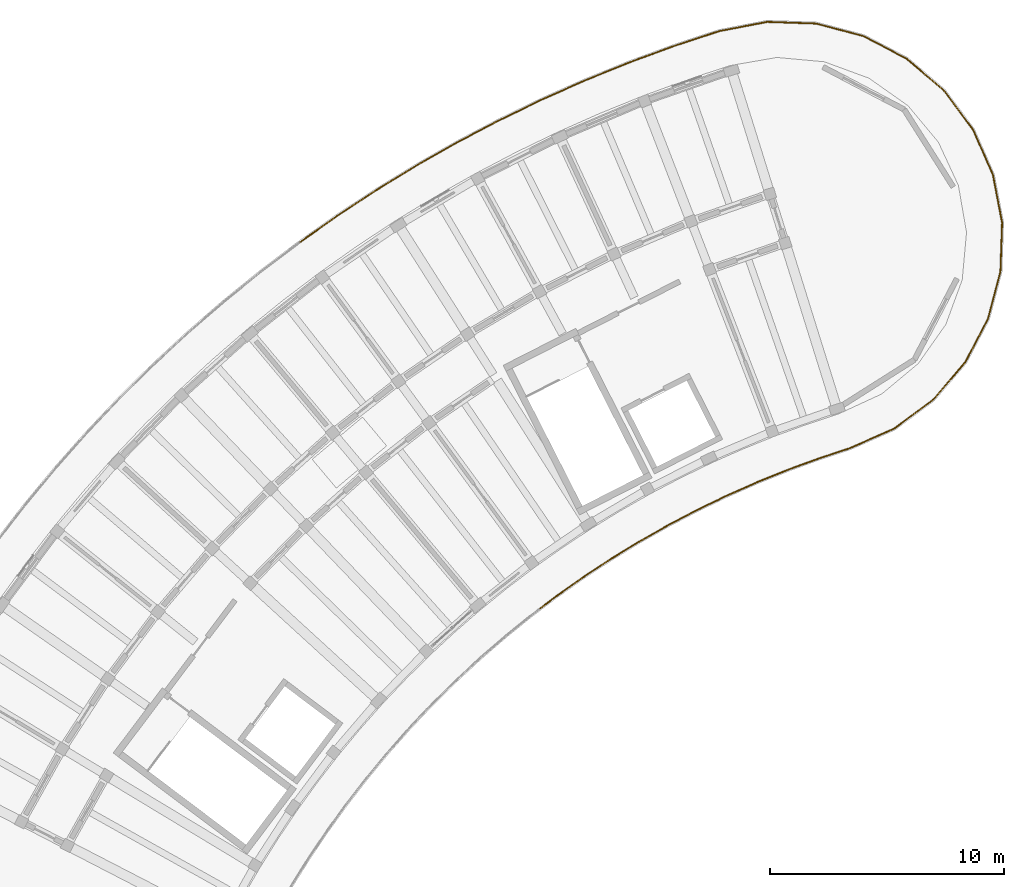
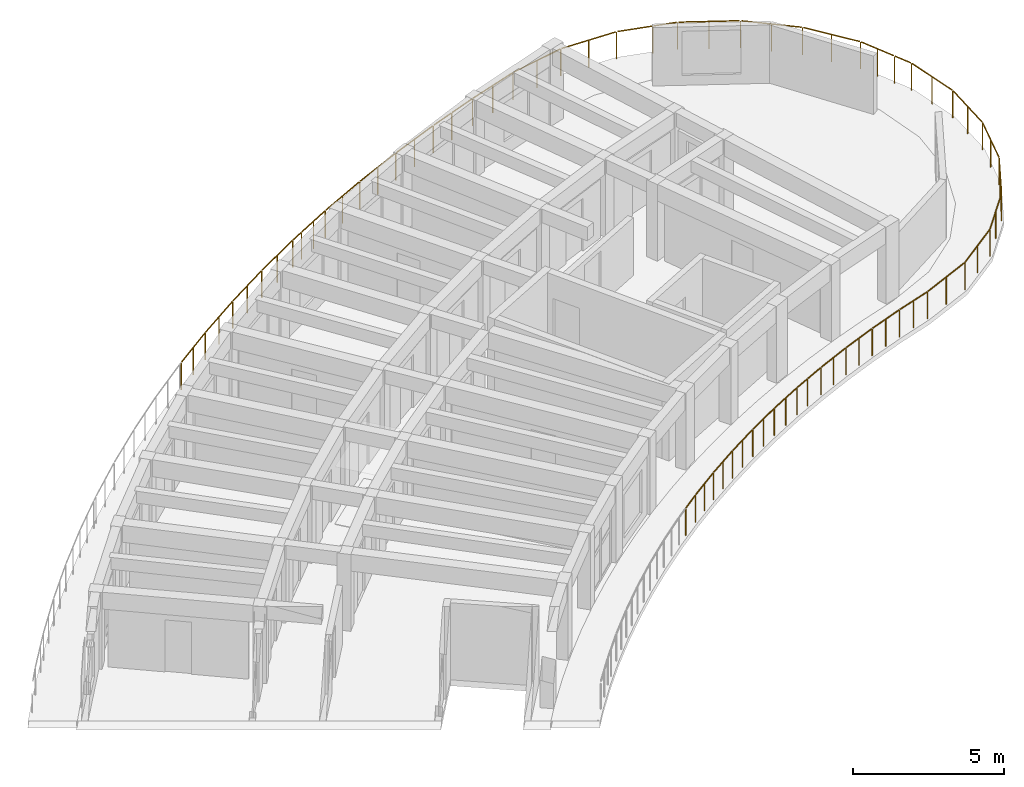
# One storey, part 9 of 9: 8 railings.
"""IFC4 building model written with IfcOpenShell, lengths in metres."""

from ifc_helpers import new_model, si_unit, direction, frame, origin, origin_2d, place, context, subcontext, project, spatial, circle, extrude, material, type_object, element, save


model = new_model("IFC4")

# Units and contexts
model_context = context("Model", 3, precision=1e-05, world=origin(), true_north=direction((0.0, 1.0)))
body_context = subcontext(model_context, "Body", "Model", "MODEL_VIEW")
ifc_project = project(units=[si_unit("LENGTHUNIT", "METRE"), si_unit("AREAUNIT", "SQUARE_METRE"), si_unit("VOLUMEUNIT", "CUBIC_METRE"), si_unit("PLANEANGLEUNIT", "RADIAN"), si_unit("MASSUNIT", "GRAM", prefix="KILO")], contexts=[model_context])

# Site, building, storey
site_placement = place(None, origin())
site = spatial("IfcSite", under=ifc_project, at=site_placement, CompositionType="ELEMENT")
building_placement = place(site_placement, origin())
building = spatial("IfcBuilding", under=site, at=building_placement, Name="Tanwirah Colonnade Gardens", CompositionType="ELEMENT")
storey_placement = place(building_placement, frame((0.0, 0.0, 49.159912109375)))
storey = spatial("IfcBuildingStorey", under=building, at=storey_placement, Name="L14", CompositionType="ELEMENT", Elevation=49.159912109375)

# Railings
ifc_material = material(Name="Precast concrete C40/50", Category="concrete")
railing_type = type_object("IfcRailingType", Name="BAL-EXT112", PredefinedType="BALUSTRADE", material=ifc_material)
railing_1_placement = place(storey_placement, frame((54.194091796875, 101.783203125, 0.0)))
element("IfcRailing", 1, at=railing_1_placement, inside=storey, type_object=railing_type, Name="Block A L14 Balcony Ribbon Balustrade 1", PredefinedType="BALUSTRADE", context=body_context, shape_type="SweptSolid", body=[
    extrude(circle(Radius=0.02392578125, at=origin_2d()), frame((-0.028564453125, -0.0126953125, 1.09619140625), z_axis=(-0.915206584925, -0.402984995887, 0.0), x_axis=(0.402984995887, -0.915206584925, 0.0)), (0.0, 0.0, 1.0), 2.029296875),
    extrude(circle(Radius=0.02392578125, at=origin_2d()), frame((-1.9443359375, -0.852783203125, 1.09619140625), z_axis=(-0.949551322101, -0.313611681377, 0.0), x_axis=(0.313611681377, -0.949551322101, 0.0)), (0.0, 0.0, 1.0), 1.337890625),
    extrude(circle(Radius=0.02392578125, at=origin_2d()), frame((-3.2763671875, -1.2939453125, 1.09619140625), z_axis=(-0.93868698515, -0.344770567059, 0.0), x_axis=(0.344770567059, -0.93868698515, 0.0)), (0.0, 0.0, 1.0), 1.341796875),
    extrude(circle(Radius=0.02392578125, at=origin_2d()), frame((-4.5966796875, -1.780029296875, 1.09619140625), z_axis=(-0.92683738147, -0.375463005247, 0.0), x_axis=(0.375463005247, -0.92683738147, 0.0)), (0.0, 0.0, 1.0), 1.342041015625),
    extrude(circle(Radius=0.02392578125, at=origin_2d()), frame((-5.900146484375, -2.309326171875, 1.09619140625), z_axis=(-0.913997826773, -0.40571908096, 0.0), x_axis=(0.40571908096, -0.913997826773, 0.0)), (0.0, 0.0, 1.0), 1.342041015625),
    extrude(circle(Radius=0.02392578125, at=origin_2d()), frame((-7.185546875, -2.88134765625, 1.09619140625), z_axis=(-0.900084396096, -0.435715595204, 0.0), x_axis=(0.435715595204, -0.900084396096, 0.0)), (0.0, 0.0, 1.0), 0.721435546875),
    extrude(circle(Radius=0.02099609375, at=origin_2d()), origin(), (0.0, 0.0, 1.0), 1.069091796875),
    extrude(circle(Radius=0.02099609375, at=origin_2d()), frame((-0.957275390625, -0.42138671875, 0.0)), (0.0, 0.0, 1.0), 1.069091796875),
    extrude(circle(Radius=0.02099609375, at=origin_2d()), frame((-1.91455078125, -0.843017578125, 0.0)), (0.0, 0.0, 1.0), 1.069091796875),
    extrude(circle(Radius=0.02099609375, at=origin_2d()), frame((-2.57958984375, -1.0625, 0.0)), (0.0, 0.0, 1.0), 1.069091796875),
    extrude(circle(Radius=0.02099609375, at=origin_2d()), frame((-3.244384765625, -1.2822265625, 0.0)), (0.0, 0.0, 1.0), 1.069091796875),
    extrude(circle(Radius=0.02099609375, at=origin_2d()), frame((-3.90625, -1.525390625, 0.0)), (0.0, 0.0, 1.0), 1.069091796875),
    extrude(circle(Radius=0.02099609375, at=origin_2d()), frame((-4.565185546875, -1.767333984375, 0.0)), (0.0, 0.0, 1.0), 1.069091796875),
    extrude(circle(Radius=0.02099609375, at=origin_2d()), frame((-5.218505859375, -2.031982421875, 0.0)), (0.0, 0.0, 1.0), 1.069091796875),
    extrude(circle(Radius=0.02099609375, at=origin_2d()), frame((-5.869384765625, -2.295654296875, 0.0)), (0.0, 0.0, 1.0), 1.069091796875),
    extrude(circle(Radius=0.02099609375, at=origin_2d()), frame((-6.513427734375, -2.58154296875, 0.0)), (0.0, 0.0, 1.0), 1.069091796875),
    extrude(circle(Radius=0.02099609375, at=origin_2d()), frame((-7.1552734375, -2.866455078125, 0.0)), (0.0, 0.0, 1.0), 1.069091796875),
    extrude(circle(Radius=0.02099609375, at=origin_2d()), frame((-7.863037109375, -3.209228515625, 0.0)), (0.0, 0.0, 1.0), 1.069091796875),
])
railing_2_placement = place(storey_placement, frame((46.3310546875, 98.573974609375, 0.0)))
element("IfcRailing", 2, at=railing_2_placement, inside=storey, type_object=railing_type, Name="Block A L14 Balcony Ribbon Balustrade 2", PredefinedType="BALUSTRADE", context=body_context, shape_type="SweptSolid", body=[
    extrude(circle(Radius=0.02392578125, at=origin_2d()), frame((-0.028076171875, -0.013671875, 1.09619140625), z_axis=(-0.900174178774, -0.435530076881, 0.0), x_axis=(0.435530076881, -0.900174178774, 0.0)), (0.0, 0.0, 1.0), 0.55810546875),
    extrude(circle(Radius=0.02392578125, at=origin_2d()), frame((-0.58837890625, -0.2861328125, 1.09619140625), z_axis=(-0.885204649416, -0.465201814972, 0.0), x_axis=(0.465201814972, -0.885204649416, 0.0)), (0.0, 0.0, 1.0), 1.341796875),
    extrude(circle(Radius=0.02392578125, at=origin_2d()), frame((-1.83349609375, -0.94140625, 1.09619140625), z_axis=(-0.869342839865, -0.494209496848, 0.0), x_axis=(0.494209496848, -0.869342839865, 0.0)), (0.0, 0.0, 1.0), 1.342041015625),
    extrude(circle(Radius=0.02392578125, at=origin_2d()), frame((-3.05615234375, -1.6376953125, 1.09619140625), z_axis=(-0.852623736113, -0.522525372223, 0.0), x_axis=(0.522525372223, -0.852623736113, 0.0)), (0.0, 0.0, 1.0), 1.342041015625),
    extrude(circle(Radius=0.02392578125, at=origin_2d()), frame((-4.25537109375, -2.37353515625, 1.09619140625), z_axis=(-0.834927342507, -0.550360184547, 0.0), x_axis=(0.550360184547, -0.834927342507, 0.0)), (0.0, 0.0, 1.0), 1.341796875),
    extrude(circle(Radius=0.02392578125, at=origin_2d()), frame((-5.4296875, -3.14892578125, 1.09619140625), z_axis=(-0.816321661452, -0.577597563226, 0.0), x_axis=(0.577597563226, -0.816321661452, 0.0)), (0.0, 0.0, 1.0), 1.341552734375),
    extrude(circle(Radius=0.02392578125, at=origin_2d()), frame((-6.577392578125, -3.962158203125, 1.09619140625), z_axis=(-0.796787546673, -0.604259551407, 0.0), x_axis=(0.604259551407, -0.796787546673, 0.0)), (0.0, 0.0, 1.0), 0.779541015625),
    extrude(circle(Radius=0.02099609375, at=origin_2d()), origin(), (0.0, 0.0, 1.0), 1.069091796875),
    extrude(circle(Radius=0.02099609375, at=origin_2d()), frame((-0.55859375, -0.270263671875, 0.0)), (0.0, 0.0, 1.0), 1.069091796875),
    extrude(circle(Radius=0.02099609375, at=origin_2d()), frame((-1.182373046875, -0.59814453125, 0.0)), (0.0, 0.0, 1.0), 1.069091796875),
    extrude(circle(Radius=0.02099609375, at=origin_2d()), frame((-1.803955078125, -0.9248046875, 0.0)), (0.0, 0.0, 1.0), 1.069091796875),
    extrude(circle(Radius=0.02099609375, at=origin_2d()), frame((-2.4169921875, -1.27294921875, 0.0)), (0.0, 0.0, 1.0), 1.069091796875),
    extrude(circle(Radius=0.02099609375, at=origin_2d()), frame((-3.02734375, -1.6201171875, 0.0)), (0.0, 0.0, 1.0), 1.069091796875),
    extrude(circle(Radius=0.02099609375, at=origin_2d()), frame((-3.62841796875, -1.98828125, 0.0)), (0.0, 0.0, 1.0), 1.069091796875),
    extrude(circle(Radius=0.02099609375, at=origin_2d()), frame((-4.22705078125, -2.355224609375, 0.0)), (0.0, 0.0, 1.0), 1.069091796875),
    extrude(circle(Radius=0.02099609375, at=origin_2d()), frame((-4.8154296875, -2.742919921875, 0.0)), (0.0, 0.0, 1.0), 1.069091796875),
    extrude(circle(Radius=0.02099609375, at=origin_2d()), frame((-5.40185546875, -3.12939453125, 0.0)), (0.0, 0.0, 1.0), 1.069091796875),
    extrude(circle(Radius=0.02099609375, at=origin_2d()), frame((-5.97705078125, -3.536376953125, 0.0)), (0.0, 0.0, 1.0), 1.069091796875),
    extrude(circle(Radius=0.02099609375, at=origin_2d()), frame((-6.55029296875, -3.94189453125, 0.0)), (0.0, 0.0, 1.0), 1.069091796875),
    extrude(circle(Radius=0.02099609375, at=origin_2d()), frame((-7.223388671875, -4.4521484375, 0.0)), (0.0, 0.0, 1.0), 1.069091796875),
])
railing_3_placement = place(storey_placement, frame((28.86962890625, 109.742919921875, 0.0)))
element("IfcRailing", 3, at=railing_3_placement, inside=storey, type_object=railing_type, Name="Block A L14 Balcony Ribbon Balustrade 12", PredefinedType="BALUSTRADE", context=body_context, shape_type="SweptSolid", body=[
    extrude(circle(Radius=0.02392578125, at=origin_2d()), frame((0.025634765625, 0.01806640625, 1.09619140625), z_axis=(0.816374113656, 0.577523425111, 0.0), x_axis=(-0.577523425111, 0.816374113656, 0.0)), (0.0, 0.0, 1.0), 1.83056640625),
    extrude(circle(Radius=0.02392578125, at=origin_2d()), frame((1.571533203125, 1.1103515625, 1.09619140625), z_axis=(0.834955682369, 0.550317188973, 0.0), x_axis=(-0.550317188973, 0.834955682369, 0.0)), (0.0, 0.0, 1.0), 1.959228515625),
    extrude(circle(Radius=0.02392578125, at=origin_2d()), frame((3.260009765625, 2.22216796875, 1.09619140625), z_axis=(0.852660263329, 0.522465764754, 0.0), x_axis=(-0.522465764754, 0.852660263329, 0.0)), (0.0, 0.0, 1.0), 1.958984375),
    extrude(circle(Radius=0.02392578125, at=origin_2d()), frame((4.984130859375, 3.27734375, 1.09619140625), z_axis=(0.869392881113, 0.494121461049, 0.0), x_axis=(-0.494121461049, 0.869392881113, 0.0)), (0.0, 0.0, 1.0), 1.958740234375),
    extrude(circle(Radius=0.02392578125, at=origin_2d()), frame((6.741943359375, 4.275390625, 1.09619140625), z_axis=(0.885152384382, 0.465301253407, 0.0), x_axis=(-0.465301253407, 0.885152384382, 0.0)), (0.0, 0.0, 1.0), 0.47998046875),
    extrude(circle(Radius=0.02099609375, at=origin_2d()), origin(), (0.0, 0.0, 1.0), 1.069091796875),
    extrude(circle(Radius=0.02099609375, at=origin_2d()), frame((0.772705078125, 0.546630859375, 0.0)), (0.0, 0.0, 1.0), 1.069091796875),
    extrude(circle(Radius=0.02099609375, at=origin_2d()), frame((1.54541015625, 1.09326171875, 0.0)), (0.0, 0.0, 1.0), 1.069091796875),
    extrude(circle(Radius=0.02099609375, at=origin_2d()), frame((2.389404296875, 1.6494140625, 0.0)), (0.0, 0.0, 1.0), 1.069091796875),
    extrude(circle(Radius=0.02099609375, at=origin_2d()), frame((3.2333984375, 2.205810546875, 0.0)), (0.0, 0.0, 1.0), 1.069091796875),
    extrude(circle(Radius=0.02099609375, at=origin_2d()), frame((4.09521484375, 2.73388671875, 0.0)), (0.0, 0.0, 1.0), 1.069091796875),
    extrude(circle(Radius=0.02099609375, at=origin_2d()), frame((4.95703125, 3.261962890625, 0.0)), (0.0, 0.0, 1.0), 1.069091796875),
    extrude(circle(Radius=0.02099609375, at=origin_2d()), frame((5.835693359375, 3.76123046875, 0.0)), (0.0, 0.0, 1.0), 1.069091796875),
    extrude(circle(Radius=0.02099609375, at=origin_2d()), frame((6.71435546875, 4.2607421875, 0.0)), (0.0, 0.0, 1.0), 1.069091796875),
    extrude(circle(Radius=0.02099609375, at=origin_2d()), frame((7.194580078125, 4.51318359375, 0.0)), (0.0, 0.0, 1.0), 1.069091796875),
])
railing_4_placement = place(storey_placement, frame((36.064208984375, 114.256103515625, 0.0)))
element("IfcRailing", 4, at=railing_4_placement, inside=storey, type_object=railing_type, Name="Block A L14 Balcony Ribbon Balustrade 13", PredefinedType="BALUSTRADE", context=body_context, shape_type="SweptSolid", body=[
    extrude(circle(Radius=0.02392578125, at=origin_2d()), frame((0.027587890625, 0.0146484375, 1.09619140625), z_axis=(0.885233107684, 0.465147659417, 0.0), x_axis=(-0.465147659417, 0.885233107684, 0.0)), (0.0, 0.0, 1.0), 1.41650390625),
    extrude(circle(Radius=0.02392578125, at=origin_2d()), frame((1.33740234375, 0.70166015625, 1.09619140625), z_axis=(0.900055350621, 0.435775591122, 0.0), x_axis=(-0.435775591122, 0.900055350621, 0.0)), (0.0, 0.0, 1.0), 1.958740234375),
    extrude(circle(Radius=0.02392578125, at=origin_2d()), frame((3.1572265625, 1.58154296875, 1.09619140625), z_axis=(0.913950953394, 0.405824660156, 0.0), x_axis=(-0.405824660156, 0.913950953394, 0.0)), (0.0, 0.0, 1.0), 1.958740234375),
    extrude(circle(Radius=0.02392578125, at=origin_2d()), frame((5.005126953125, 2.40087890625, 1.09619140625), z_axis=(0.926784720453, 0.375592973757, 0.0), x_axis=(-0.375592973757, 0.926784720453, 0.0)), (0.0, 0.0, 1.0), 1.958984375),
    extrude(circle(Radius=0.02392578125, at=origin_2d()), frame((6.87890625, 3.1591796875, 1.09619140625), z_axis=(0.938760769045, 0.344569613434, 0.0), x_axis=(-0.344569613434, 0.938760769045, 0.0)), (0.0, 0.0, 1.0), 0.89404296875),
    extrude(circle(Radius=0.02099609375, at=origin_2d()), origin(), (0.0, 0.0, 1.0), 1.069091796875),
    extrude(circle(Radius=0.02099609375, at=origin_2d()), frame((0.65478515625, 0.343994140625, 0.0)), (0.0, 0.0, 1.0), 1.069091796875),
    extrude(circle(Radius=0.02099609375, at=origin_2d()), frame((1.309326171875, 0.68798828125, 0.0)), (0.0, 0.0, 1.0), 1.069091796875),
    extrude(circle(Radius=0.02099609375, at=origin_2d()), frame((2.218994140625, 1.12841796875, 0.0)), (0.0, 0.0, 1.0), 1.069091796875),
    extrude(circle(Radius=0.02099609375, at=origin_2d()), frame((3.128662109375, 1.56884765625, 0.0)), (0.0, 0.0, 1.0), 1.069091796875),
    extrude(circle(Radius=0.02099609375, at=origin_2d()), frame((4.05224609375, 1.97900390625, 0.0)), (0.0, 0.0, 1.0), 1.069091796875),
    extrude(circle(Radius=0.02099609375, at=origin_2d()), frame((4.97607421875, 2.38916015625, 0.0)), (0.0, 0.0, 1.0), 1.069091796875),
    extrude(circle(Radius=0.02099609375, at=origin_2d()), frame((5.912841796875, 2.768798828125, 0.0)), (0.0, 0.0, 1.0), 1.069091796875),
    extrude(circle(Radius=0.02099609375, at=origin_2d()), frame((6.849609375, 3.1484375, 0.0)), (0.0, 0.0, 1.0), 1.069091796875),
    extrude(circle(Radius=0.02099609375, at=origin_2d()), frame((7.74755859375, 3.47802734375, 0.0)), (0.0, 0.0, 1.0), 1.069091796875),
])
railing_5_placement = place(storey_placement, frame((43.811767578125, 117.734130859375, 0.0)))
element("IfcRailing", 5, at=railing_5_placement, inside=storey, type_object=railing_type, Name="Block A L14 Balcony Ribbon Balustrade 14", PredefinedType="BALUSTRADE", context=body_context, shape_type="SweptSolid", body=[
    extrude(circle(Radius=0.02392578125, at=origin_2d()), frame((0.029296875, 0.0107421875, 1.09619140625), z_axis=(0.938690956127, 0.344759755315, 0.0), x_axis=(-0.344759755315, 0.938690956127, 0.0)), (0.0, 0.0, 1.0), 1.00244140625),
    extrude(circle(Radius=0.02392578125, at=origin_2d()), frame((1.029541015625, 0.376953125, 1.09619140625), z_axis=(0.949538943768, 0.313649157926, 0.0), x_axis=(-0.313649157926, 0.949538943768, 0.0)), (0.0, 0.0, 1.0), 1.955078125),
    extrude(circle(Radius=0.02392578125, at=origin_2d()), frame((2.9462890625, 1.005859375, 1.09619140625), z_axis=(0.981943925546, 0.18917221541, 0.0), x_axis=(-0.18917221541, 0.981943925546, 0.0)), (0.0, 0.0, 1.0), 2.0283203125),
    extrude(circle(Radius=0.02392578125, at=origin_2d()), frame((4.999755859375, 1.39453125, 1.09619140625), z_axis=(0.99942036121, -0.034043231314, 0.0), x_axis=(0.034043231314, 0.99942036121, 0.0)), (0.0, 0.0, 1.0), 2.0244140625),
    extrude(circle(Radius=0.02392578125, at=origin_2d()), frame((7.08447265625, 1.31640625, 1.09619140625), z_axis=(0.966788267267, -0.25557864988, 0.0), x_axis=(0.25557864988, 0.966788267267, 0.0)), (0.0, 0.0, 1.0), 1.177490234375),
    extrude(circle(Radius=0.02099609375, at=origin_2d()), origin(), (0.0, 0.0, 1.0), 1.069091796875),
    extrude(circle(Radius=0.02099609375, at=origin_2d()), frame((0.999755859375, 0.3671875, 0.0)), (0.0, 0.0, 1.0), 1.069091796875),
    extrude(circle(Radius=0.02099609375, at=origin_2d()), frame((1.95751953125, 0.68359375, 0.0)), (0.0, 0.0, 1.0), 1.069091796875),
    extrude(circle(Radius=0.02099609375, at=origin_2d()), frame((2.91552734375, 1.0, 0.0)), (0.0, 0.0, 1.0), 1.069091796875),
    extrude(circle(Radius=0.02099609375, at=origin_2d()), frame((3.94189453125, 1.19775390625, 0.0)), (0.0, 0.0, 1.0), 1.069091796875),
    extrude(circle(Radius=0.02099609375, at=origin_2d()), frame((4.968505859375, 1.3955078125, 0.0)), (0.0, 0.0, 1.0), 1.069091796875),
    extrude(circle(Radius=0.02099609375, at=origin_2d()), frame((6.01123046875, 1.35986328125, 0.0)), (0.0, 0.0, 1.0), 1.069091796875),
    extrude(circle(Radius=0.02099609375, at=origin_2d()), frame((7.05419921875, 1.324462890625, 0.0)), (0.0, 0.0, 1.0), 1.069091796875),
    extrude(circle(Radius=0.02099609375, at=origin_2d()), frame((8.2529296875, 1.007568359375, 0.0)), (0.0, 0.0, 1.0), 1.069091796875),
])
railing_6_placement = place(storey_placement, frame((52.064697265625, 118.74169921875, 0.0)))
element("IfcRailing", 6, at=railing_6_placement, inside=storey, type_object=railing_type, Name="Block A L14 Balcony Ribbon Balustrade 15", PredefinedType="BALUSTRADE", context=body_context, shape_type="SweptSolid", body=[
    extrude(circle(Radius=0.02392578125, at=origin_2d()), frame((0.0302734375, -0.008056640625, 1.09619140625), z_axis=(0.966763922703, -0.255670721359, 0.0), x_axis=(0.255670721359, 0.966763922703, 0.0)), (0.0, 0.0, 1.0), 0.784423828125),
    extrude(circle(Radius=0.02392578125, at=origin_2d()), frame((0.846435546875, -0.23095703125, 1.09619140625), z_axis=(0.885675786057, -0.464304212767, 0.0), x_axis=(0.464304212767, 0.885675786057, 0.0)), (0.0, 0.0, 1.0), 2.0244140625),
    extrude(circle(Radius=0.02392578125, at=origin_2d()), frame((2.69091796875, -1.205810546875, 1.09619140625), z_axis=(0.760114820182, -0.649788781174, 0.0), x_axis=(0.649788781174, 0.760114820182, 0.0)), (0.0, 0.0, 1.0), 2.024169921875),
    extrude(circle(Radius=0.02392578125, at=origin_2d()), frame((4.27197265625, -2.566650390625, 1.09619140625), z_axis=(0.596494138817, -0.802617432129, 0.0), x_axis=(0.802617432129, 0.596494138817, 0.0)), (0.0, 0.0, 1.0), 2.0244140625),
    extrude(circle(Radius=0.02392578125, at=origin_2d()), frame((5.510986328125, -4.2451171875, 1.09619140625), z_axis=(0.402979545367, -0.915208984886, 0.0), x_axis=(0.915208984886, 0.402979545367, 0.0)), (0.0, 0.0, 1.0), 1.32958984375),
    extrude(circle(Radius=0.02099609375, at=origin_2d()), origin(), (0.0, 0.0, 1.0), 1.069091796875),
    extrude(circle(Radius=0.02099609375, at=origin_2d()), frame((0.81884765625, -0.216552734375, 0.0)), (0.0, 0.0, 1.0), 1.069091796875),
    extrude(circle(Radius=0.02099609375, at=origin_2d()), frame((1.7431640625, -0.701171875, 0.0)), (0.0, 0.0, 1.0), 1.069091796875),
    extrude(circle(Radius=0.02099609375, at=origin_2d()), frame((2.667236328125, -1.185546875, 0.0)), (0.0, 0.0, 1.0), 1.069091796875),
    extrude(circle(Radius=0.02099609375, at=origin_2d()), frame((3.46044921875, -1.863525390625, 0.0)), (0.0, 0.0, 1.0), 1.069091796875),
    extrude(circle(Radius=0.02099609375, at=origin_2d()), frame((4.25341796875, -2.54150390625, 0.0)), (0.0, 0.0, 1.0), 1.069091796875),
    extrude(circle(Radius=0.02099609375, at=origin_2d()), frame((4.8759765625, -3.37890625, 0.0)), (0.0, 0.0, 1.0), 1.069091796875),
    extrude(circle(Radius=0.02099609375, at=origin_2d()), frame((5.498291015625, -4.216552734375, 0.0)), (0.0, 0.0, 1.0), 1.069091796875),
    extrude(circle(Radius=0.02099609375, at=origin_2d()), frame((5.77880859375, -4.853515625, 0.0)), (0.0, 0.0, 1.0), 1.069091796875),
    extrude(circle(Radius=0.02099609375, at=origin_2d()), frame((6.059326171875, -5.49072265625, 0.0)), (0.0, 0.0, 1.0), 1.069091796875),
])
railing_7_placement = place(storey_placement, frame((58.1240234375, 113.2509765625, 0.0)))
element("IfcRailing", 7, at=railing_7_placement, inside=storey, type_object=railing_type, Name="Block A L14 Balcony Ribbon Balustrade 16", PredefinedType="BALUSTRADE", context=body_context, shape_type="SweptSolid", body=[
    extrude(circle(Radius=0.02392578125, at=origin_2d()), frame((0.0126953125, -0.028564453125, 1.09619140625), z_axis=(0.402809288305, -0.915283932589, 0.0), x_axis=(0.915283932589, 0.402809288305, 0.0)), (0.0, 0.0, 1.0), 0.632080078125),
    extrude(circle(Radius=0.02392578125, at=origin_2d()), frame((0.28564453125, -0.66650390625, 1.09619140625), z_axis=(0.189159780918, -0.981946320978, 0.0), x_axis=(0.981946320978, 0.189159780918, 0.0)), (0.0, 0.0, 1.0), 2.0244140625),
    extrude(circle(Radius=0.02392578125, at=origin_2d()), frame((0.673583984375, -2.71630859375, 1.09619140625), z_axis=(-0.034043231314, -0.99942036121, 0.0), x_axis=(0.99942036121, -0.034043231314, 0.0)), (0.0, 0.0, 1.0), 2.0244140625),
    extrude(circle(Radius=0.02392578125, at=origin_2d()), frame((0.595458984375, -4.801025390625, 1.09619140625), z_axis=(-0.255616018548, -0.966778387771, 0.0), x_axis=(0.966778387771, -0.255616018548, 0.0)), (0.0, 0.0, 1.0), 2.0244140625),
    extrude(circle(Radius=0.02392578125, at=origin_2d()), frame((0.0556640625, -6.81591796875, 1.09619140625), z_axis=(-0.464266870585, -0.885695361215, 0.0), x_axis=(0.885695361215, -0.464266870585, 0.0)), (0.0, 0.0, 1.0), 1.48193359375),
    extrude(circle(Radius=0.02099609375, at=origin_2d()), origin(), (0.0, 0.0, 1.0), 1.069091796875),
    extrude(circle(Radius=0.02099609375, at=origin_2d()), frame((0.27978515625, -0.6357421875, 0.0)), (0.0, 0.0, 1.0), 1.069091796875),
    extrude(circle(Radius=0.02099609375, at=origin_2d()), frame((0.47705078125, -1.660400390625, 0.0)), (0.0, 0.0, 1.0), 1.069091796875),
    extrude(circle(Radius=0.02099609375, at=origin_2d()), frame((0.674560546875, -2.68505859375, 0.0)), (0.0, 0.0, 1.0), 1.069091796875),
    extrude(circle(Radius=0.02099609375, at=origin_2d()), frame((0.63916015625, -3.72802734375, 0.0)), (0.0, 0.0, 1.0), 1.069091796875),
    extrude(circle(Radius=0.02099609375, at=origin_2d()), frame((0.603515625, -4.770751953125, 0.0)), (0.0, 0.0, 1.0), 1.069091796875),
    extrude(circle(Radius=0.02099609375, at=origin_2d()), frame((0.3369140625, -5.779541015625, 0.0)), (0.0, 0.0, 1.0), 1.069091796875),
    extrude(circle(Radius=0.02099609375, at=origin_2d()), frame((0.070068359375, -6.788330078125, 0.0)), (0.0, 0.0, 1.0), 1.069091796875),
    extrude(circle(Radius=0.02099609375, at=origin_2d()), frame((-0.28857421875, -7.47216796875, 0.0)), (0.0, 0.0, 1.0), 1.069091796875),
    extrude(circle(Radius=0.02099609375, at=origin_2d()), frame((-0.64697265625, -8.15625, 0.0)), (0.0, 0.0, 1.0), 1.069091796875),
])
railing_8_placement = place(storey_placement, frame((57.47705078125, 105.0947265625, 0.0)))
element("IfcRailing", 8, at=railing_8_placement, inside=storey, type_object=railing_type, Name="Block A L14 Balcony Ribbon Balustrade 17", PredefinedType="BALUSTRADE", context=body_context, shape_type="SweptSolid", body=[
    extrude(circle(Radius=0.02392578125, at=origin_2d()), frame((-0.014404296875, -0.027587890625, 1.09619140625), z_axis=(-0.464410514373, -0.885620050665, 0.0), x_axis=(0.885620050665, -0.464410514373, 0.0)), (0.0, 0.0, 1.0), 0.47998046875),
    extrude(circle(Radius=0.02392578125, at=origin_2d()), frame((-0.272216796875, -0.504150390625, 1.09619140625), z_axis=(-0.649788781174, -0.760114820182, 0.0), x_axis=(0.760114820182, -0.649788781174, 0.0)), (0.0, 0.0, 1.0), 2.024169921875),
    extrude(circle(Radius=0.02392578125, at=origin_2d()), frame((-1.633056640625, -2.085205078125, 1.09619140625), z_axis=(-0.802617432129, -0.596494138817, 0.0), x_axis=(0.596494138817, -0.802617432129, 0.0)), (0.0, 0.0, 1.0), 2.0244140625),
    extrude(circle(Radius=0.02099609375, at=origin_2d()), origin(), (0.0, 0.0, 1.0), 1.069091796875),
    extrude(circle(Radius=0.02099609375, at=origin_2d()), frame((-0.251953125, -0.48046875, 0.0)), (0.0, 0.0, 1.0), 1.069091796875),
    extrude(circle(Radius=0.02099609375, at=origin_2d()), frame((-0.929931640625, -1.2734375, 0.0)), (0.0, 0.0, 1.0), 1.069091796875),
    extrude(circle(Radius=0.02099609375, at=origin_2d()), frame((-1.60791015625, -2.066650390625, 0.0)), (0.0, 0.0, 1.0), 1.069091796875),
    extrude(circle(Radius=0.02099609375, at=origin_2d()), frame((-2.4453125, -2.68896484375, 0.0)), (0.0, 0.0, 1.0), 1.069091796875),
    extrude(circle(Radius=0.02099609375, at=origin_2d()), frame((-3.282958984375, -3.3115234375, 0.0)), (0.0, 0.0, 1.0), 1.069091796875),
])

save(model, "model.ifc")
